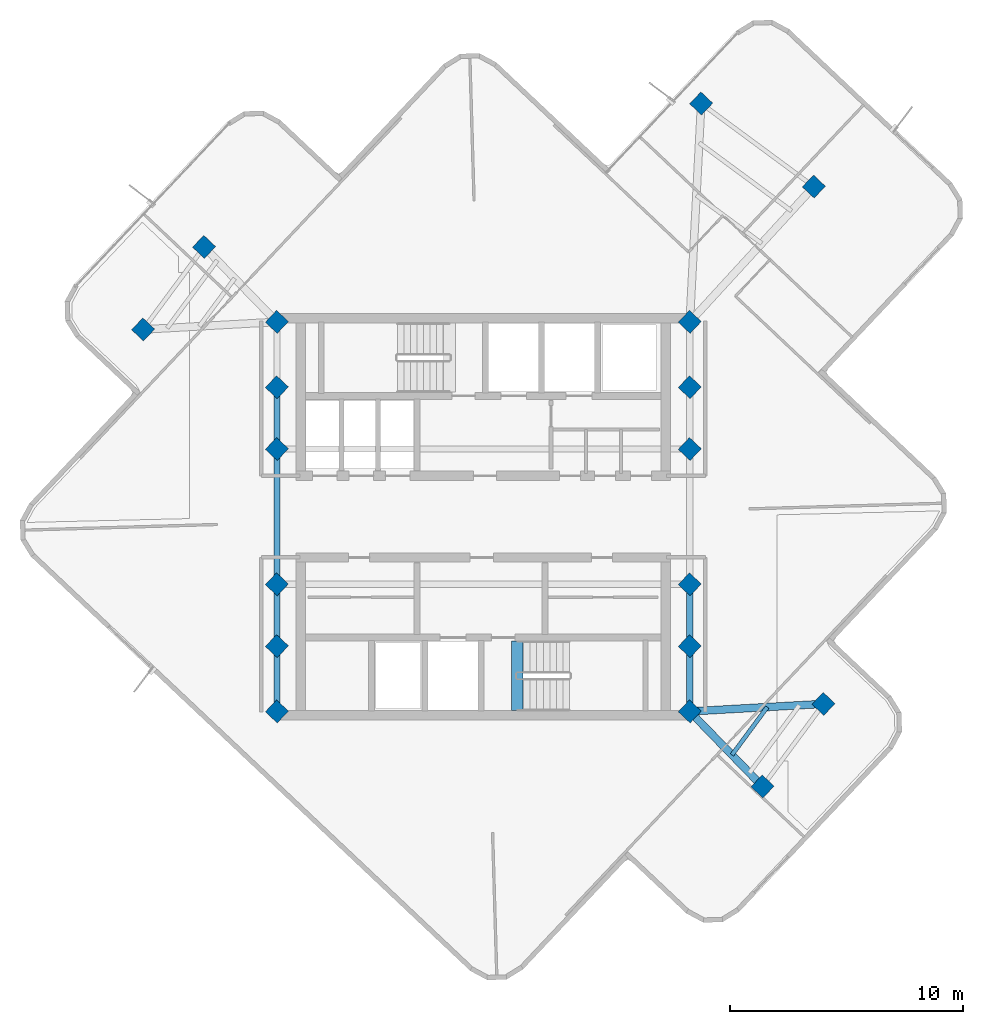
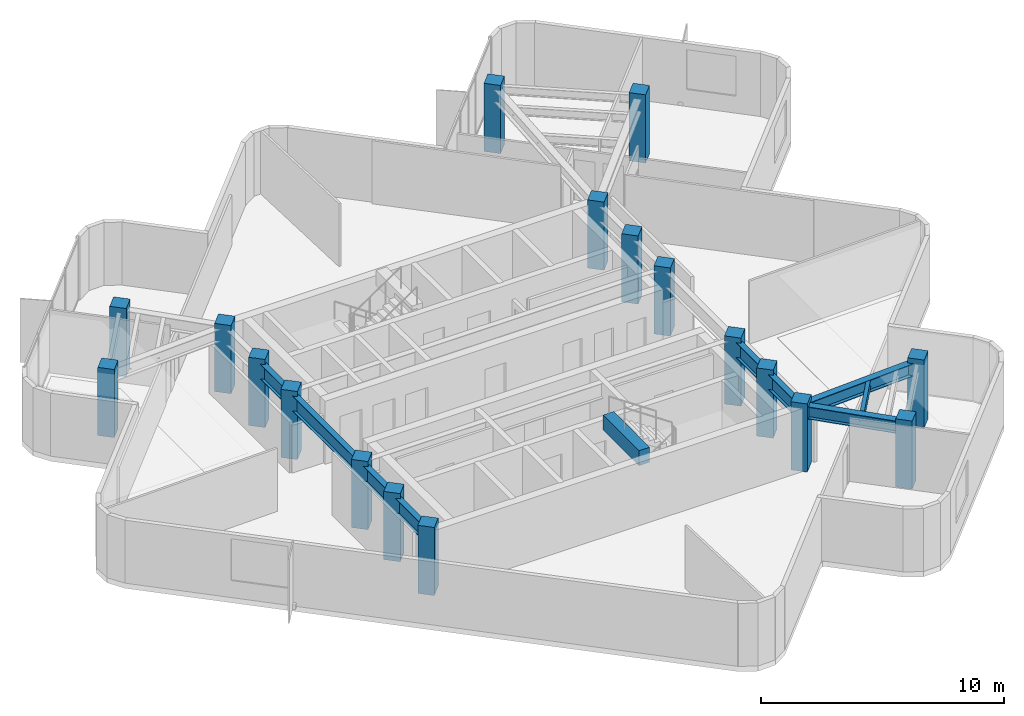
# One storey, part 1 of 10: 18 columns, 10 beams.
"""IFC4 building model written with IfcOpenShell, lengths in metres."""

from ifc_helpers import new_model, si_unit, direction, frame, origin, origin_2d, place, context, subcontext, project, spatial, rectangle, i_section, extrude, material, material_profile, profile_set, type_object, element, save


model = new_model("IFC4")

# Units and contexts
model_context = context("Model", 3, precision=1e-05, world=origin(), true_north=direction((0.0, 1.0)))
body_context = subcontext(model_context, "Body", "Model", "MODEL_VIEW")
ifc_project = project(units=[si_unit("LENGTHUNIT", "METRE"), si_unit("AREAUNIT", "SQUARE_METRE"), si_unit("VOLUMEUNIT", "CUBIC_METRE"), si_unit("PLANEANGLEUNIT", "RADIAN"), si_unit("MASSUNIT", "GRAM", prefix="KILO")], contexts=[model_context])

# Site, building, storey
site_placement = place(None, origin())
site = spatial("IfcSite", under=ifc_project, at=site_placement, CompositionType="ELEMENT")
building_placement = place(site_placement, origin())
building = spatial("IfcBuilding", under=site, at=building_placement, Name="Solmarez Civic Tower", CompositionType="ELEMENT")
storey_placement = place(building_placement, frame((0.0, 0.0, 247.5)))
storey = spatial("IfcBuildingStorey", under=building, at=storey_placement, Name="L66", CompositionType="ELEMENT", Elevation=247.5)

# Columns
ifc_material_1 = material(Name="Concrete C50/60", Category="concrete")
ifc_material_profile_1 = material_profile(ifc_material_1, rectangle(XDim=0.699951171875, YDim=0.699951171875, at=origin_2d()), Name="RC700X700")
ifc_profile_set_1 = profile_set([ifc_material_profile_1], Name="Concrete C50/60")
column_type = type_object("IfcColumnType", Name="COL-RC700", PredefinedType="COLUMN", material=ifc_profile_set_1)
for number, where, z_axis, x_axis, name in (
    (1, (-8.85009765625, -5.550048828125, 0.0), (0.0, 0.0, 1.0), (0.686072351756, 0.727533317557, 0.0), "L66 Structural Column HC1"),
    (2, (-8.85009765625, -2.89990234375, 0.0), (0.0, 0.0, 1.0), (0.686072351756, 0.727533317557, 0.0), "L66 Structural Column HC2"),
    (3, (-8.85009765625, 2.89990234375, 0.0), (0.0, 0.0, 1.0), (0.686072351756, 0.727533317557, 0.0), "L66 Structural Column HC3"),
    (4, (-8.85009765625, 5.550048828125, 0.0), (0.0, 0.0, 1.0), (0.686072351756, 0.727533317557, 0.0), "L66 Structural Column HC4"),
    (5, (8.85009765625, -5.550048828125, 0.0), (0.0, 0.0, 1.0), (0.686072351756, 0.727533317557, 0.0), "L66 Structural Column HC5"),
    (6, (8.85009765625, -2.89990234375, 0.0), (0.0, 0.0, 1.0), (0.686072351756, 0.727533317557, 0.0), "L66 Structural Column HC6"),
    (7, (8.85009765625, 2.89990234375, 0.0), (0.0, 0.0, 1.0), (0.686072351756, 0.727533317557, 0.0), "L66 Structural Column HC7"),
    (8, (8.85009765625, 5.550048828125, 0.0), (0.0, 0.0, 1.0), (0.686072351756, 0.727533317557, 0.0), "L66 Structural Column HC8"),
    (9, (-8.85009765625, 8.35009765625, 0.0), (0.0, 0.0, 1.0), (0.686072351756, 0.727533317557, 0.0), "L66 Structural Column HC9"),
    (10, (8.85009765625, -8.35009765625, 0.0), (0.0, 0.0, 1.0), (0.686072351756, 0.727533317557, 0.0), "L66 Structural Column HC10"),
    (11, (8.85009765625, 8.35009765625, 0.0), (0.0, 0.0, 1.0), (0.686072351756, 0.727533317557, 0.0), "L66 Structural Column HC11"),
    (12, (-8.85009765625, -8.35009765625, 0.0), (0.0, 0.0, 1.0), (0.686072351756, 0.727533317557, 0.0), "L66 Structural Column HC12"),
    (13, (14.1689453125, 14.152099609375, 0.0), (0.0, 0.0, 1.0), (0.686072351756, 0.727533317557, 0.0), "L66 Structural Column EA11"),
    (14, (9.341064453125, 17.714111328125, 0.0), (0.0, 0.0, 1.0), (0.686072351756, 0.727533317557, 0.0), "L66 Structural Column EA12"),
    (15, (-11.970947265625, 11.56591796875, 0.0), (0.0, 0.0, 1.0), (0.686072351756, 0.727533317557, 0.0), "L66 Structural Column NA11"),
    (16, (-14.5830078125, 8.02587890625, 0.0), (0.0, 0.0, 1.0), (0.686072351756, 0.727533317557, 0.0), "L66 Structural Column NA12"),
    (17, (11.970947265625, -11.56591796875, 0.0), (0.0, 0.0, 1.0), (0.686072351756, 0.727533317557, 0.0), "L66 Structural Column SA11"),
    (18, (14.5830078125, -8.02587890625, 0.0), (0.0, 0.0, 1.0), (0.686072351756, 0.727533317557, 0.0), "L66 Structural Column SA12"),
):
    element("IfcColumn", number, at=place(storey_placement, frame(where, z_axis=z_axis, x_axis=x_axis)), inside=storey, type_object=column_type, Name=name, PredefinedType="COLUMN", context=body_context, shape_type="SweptSolid", body=[
        extrude(rectangle(XDim=0.699951171875, YDim=0.699951171875, at=origin_2d()), origin(), (0.0, 0.0, 1.0), 3.419921875),
    ])

# Beams
ifc_material_2 = material(Name="Steel S355", Category="steel")
ifc_material_profile_2 = material_profile(ifc_material_2, i_section(OverallWidth=0.178955078125, OverallDepth=0.409912109375, WebThickness=0.0087890625, FlangeThickness=0.014404296875, at=origin_2d()), Name="W16X45")
ifc_profile_set_2 = profile_set([ifc_material_profile_2], Name="Steel S355")
beam_type_1 = type_object("IfcBeamType", Name="BM-JS-W16X45", PredefinedType="JOIST", material=ifc_profile_set_2)
beam_1_placement = place(storey_placement, frame((10.659912109375, -10.215087890625, 2.955078125), z_axis=(0.593812477683, 0.804603468392, 0.0), x_axis=(-0.804603468392, 0.593812477683, 0.0)))
element("IfcBeam", 19, at=beam_1_placement, inside=storey, type_object=beam_type_1, Name="L66 Secondary Floor Joist JS-L66-SA-M11", PredefinedType="JOIST", context=body_context, shape_type="SweptSolid", body=[
    extrude(i_section(OverallWidth=0.178955078125, OverallDepth=0.409912109375, WebThickness=0.0087890625, FlangeThickness=0.014404296875, at=origin_2d()), origin(), (0.0, 0.0, 1.0), 2.551513671875),
])
ifc_material_profile_3 = material_profile(ifc_material_1, rectangle(XDim=0.5, YDim=0.75, at=origin_2d()), Name="RC500X750")
ifc_profile_set_3 = profile_set([ifc_material_profile_3], Name="Concrete C50/60")
beam_type_2 = type_object("IfcBeamType", Name="BM-PR-RC500X750", PredefinedType="BEAM", material=ifc_profile_set_3)
beam_2_placement = place(storey_placement, frame((1.449951171875, -8.300048828125, 3.052978515625), z_axis=(0.0, 1.0, 0.0), x_axis=(-1.0, 0.0, 0.0)))
element("IfcBeam", 20, at=beam_2_placement, inside=storey, type_object=beam_type_2, Name="L66 South Stair Threshold Beam", PredefinedType="BEAM", context=body_context, shape_type="SweptSolid", body=[
    extrude(rectangle(XDim=0.5, YDim=0.75, at=origin_2d()), origin(), (0.0, 0.0, 1.0), 2.9599609375),
])
ifc_material_profile_4 = material_profile(ifc_material_2, i_section(OverallWidth=0.327880859375, OverallDepth=0.6220703125, WebThickness=0.015380859375, FlangeThickness=0.0244140625, at=origin_2d()), Name="W24X131")
ifc_profile_set_4 = profile_set([ifc_material_profile_4], Name="Steel S355")
beam_type_3 = type_object("IfcBeamType", Name="BM-PR-W24X131", PredefinedType="BEAM", material=ifc_profile_set_4)
beam_3_placement = place(storey_placement, frame((8.85009765625, -8.35009765625, 2.84912109375), z_axis=(0.696430820305, -0.717623935309, 0.0), x_axis=(0.717623935309, 0.696430820305, 0.0)))
element("IfcBeam", 21, at=beam_3_placement, inside=storey, type_object=beam_type_3, Name="L66 Primary Floor Beam BM-L66-SA-R1A", PredefinedType="BEAM", context=body_context, shape_type="SweptSolid", body=[
    extrude(i_section(OverallWidth=0.327880859375, OverallDepth=0.6220703125, WebThickness=0.015380859375, FlangeThickness=0.0244140625, at=origin_2d()), origin(), (0.0, 0.0, 1.0), 4.481201171875),
])
beam_4_placement = place(storey_placement, frame((8.85009765625, -8.35009765625, 2.84912109375), z_axis=(0.998404650863, 0.056463732917, 0.0), x_axis=(-0.056463732917, 0.998404650863, 0.0)))
element("IfcBeam", 22, at=beam_4_placement, inside=storey, type_object=beam_type_3, Name="L66 Primary Floor Beam BM-L66-SA-R1B", PredefinedType="BEAM", context=body_context, shape_type="SweptSolid", body=[
    extrude(i_section(OverallWidth=0.327880859375, OverallDepth=0.6220703125, WebThickness=0.015380859375, FlangeThickness=0.0244140625, at=origin_2d()), origin(), (0.0, 0.0, 1.0), 5.7421875),
])
ifc_material_profile_5 = material_profile(ifc_material_2, i_section(OverallWidth=0.26708984375, OverallDepth=0.761962890625, WebThickness=0.014404296875, FlangeThickness=0.021484375, at=origin_2d()), Name="W30X116")
ifc_profile_set_5 = profile_set([ifc_material_profile_5], Name="Steel S355")
beam_type_4 = type_object("IfcBeamType", Name="BM-PR-W30X116", PredefinedType="BEAM", material=ifc_profile_set_5)
beam_5_placement = place(storey_placement, frame((-8.85009765625, -8.35009765625, 2.779052734375), z_axis=(0.0, 1.0, 0.0), x_axis=(-1.0, 0.0, 0.0)))
element("IfcBeam", 23, at=beam_5_placement, inside=storey, type_object=beam_type_4, Name="L66 Primary Floor Beam BM-L66-HC12-HC1", PredefinedType="BEAM", context=body_context, shape_type="SweptSolid", body=[
    extrude(i_section(OverallWidth=0.26708984375, OverallDepth=0.761962890625, WebThickness=0.014404296875, FlangeThickness=0.021484375, at=origin_2d()), origin(), (0.0, 0.0, 1.0), 2.800048828125),
])
beam_6_placement = place(storey_placement, frame((-8.85009765625, -5.550048828125, 2.779052734375), z_axis=(0.0, 1.0, 0.0), x_axis=(-1.0, 0.0, 0.0)))
element("IfcBeam", 24, at=beam_6_placement, inside=storey, type_object=beam_type_4, Name="L66 Primary Floor Beam BM-L66-HC1-HC2", PredefinedType="BEAM", context=body_context, shape_type="SweptSolid", body=[
    extrude(i_section(OverallWidth=0.26708984375, OverallDepth=0.761962890625, WebThickness=0.014404296875, FlangeThickness=0.021484375, at=origin_2d()), origin(), (0.0, 0.0, 1.0), 2.650146484375),
])
beam_7_placement = place(storey_placement, frame((-8.85009765625, -2.89990234375, 2.779052734375), z_axis=(0.0, 1.0, 0.0), x_axis=(-1.0, 0.0, 0.0)))
element("IfcBeam", 25, at=beam_7_placement, inside=storey, type_object=beam_type_4, Name="L66 Primary Floor Beam BM-L66-HC2-HC3", PredefinedType="BEAM", context=body_context, shape_type="SweptSolid", body=[
    extrude(i_section(OverallWidth=0.26708984375, OverallDepth=0.761962890625, WebThickness=0.014404296875, FlangeThickness=0.021484375, at=origin_2d()), origin(), (0.0, 0.0, 1.0), 5.7998046875),
])
beam_8_placement = place(storey_placement, frame((-8.85009765625, 2.89990234375, 2.779052734375), z_axis=(0.0, 1.0, 0.0), x_axis=(-1.0, 0.0, 0.0)))
element("IfcBeam", 26, at=beam_8_placement, inside=storey, type_object=beam_type_4, Name="L66 Primary Floor Beam BM-L66-HC3-HC4", PredefinedType="BEAM", context=body_context, shape_type="SweptSolid", body=[
    extrude(i_section(OverallWidth=0.26708984375, OverallDepth=0.761962890625, WebThickness=0.014404296875, FlangeThickness=0.021484375, at=origin_2d()), origin(), (0.0, 0.0, 1.0), 2.650146484375),
])
beam_9_placement = place(storey_placement, frame((8.85009765625, -8.35009765625, 2.779052734375), z_axis=(0.0, 1.0, 0.0), x_axis=(-1.0, 0.0, 0.0)))
element("IfcBeam", 27, at=beam_9_placement, inside=storey, type_object=beam_type_4, Name="L66 Primary Floor Beam BM-L66-HC10-HC5", PredefinedType="BEAM", context=body_context, shape_type="SweptSolid", body=[
    extrude(i_section(OverallWidth=0.26708984375, OverallDepth=0.761962890625, WebThickness=0.014404296875, FlangeThickness=0.021484375, at=origin_2d()), origin(), (0.0, 0.0, 1.0), 2.800048828125),
])
beam_10_placement = place(storey_placement, frame((8.85009765625, -5.550048828125, 2.779052734375), z_axis=(0.0, 1.0, 0.0), x_axis=(-1.0, 0.0, 0.0)))
element("IfcBeam", 28, at=beam_10_placement, inside=storey, type_object=beam_type_4, Name="L66 Primary Floor Beam BM-L66-HC5-HC6", PredefinedType="BEAM", context=body_context, shape_type="SweptSolid", body=[
    extrude(i_section(OverallWidth=0.26708984375, OverallDepth=0.761962890625, WebThickness=0.014404296875, FlangeThickness=0.021484375, at=origin_2d()), origin(), (0.0, 0.0, 1.0), 2.650146484375),
])

save(model, "model.ifc")
